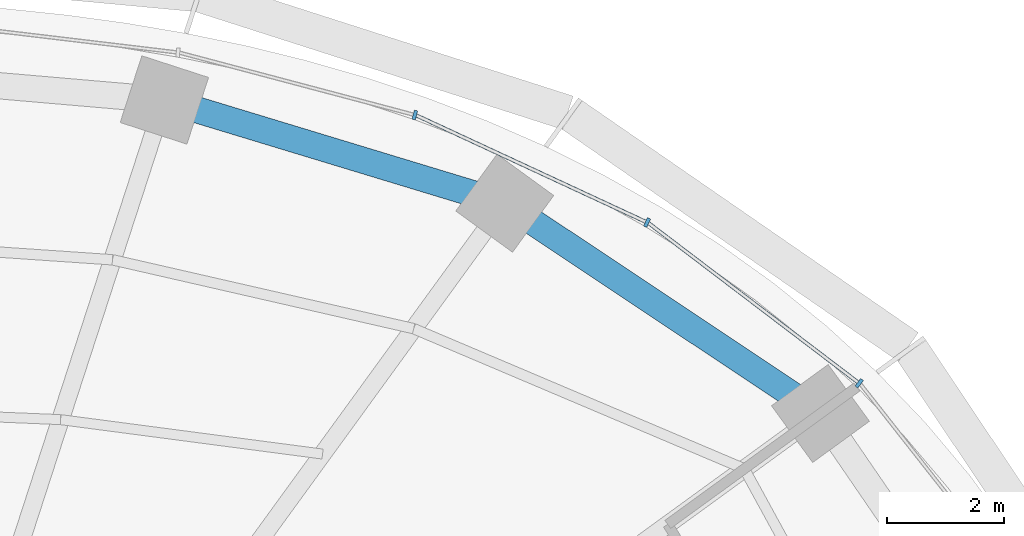
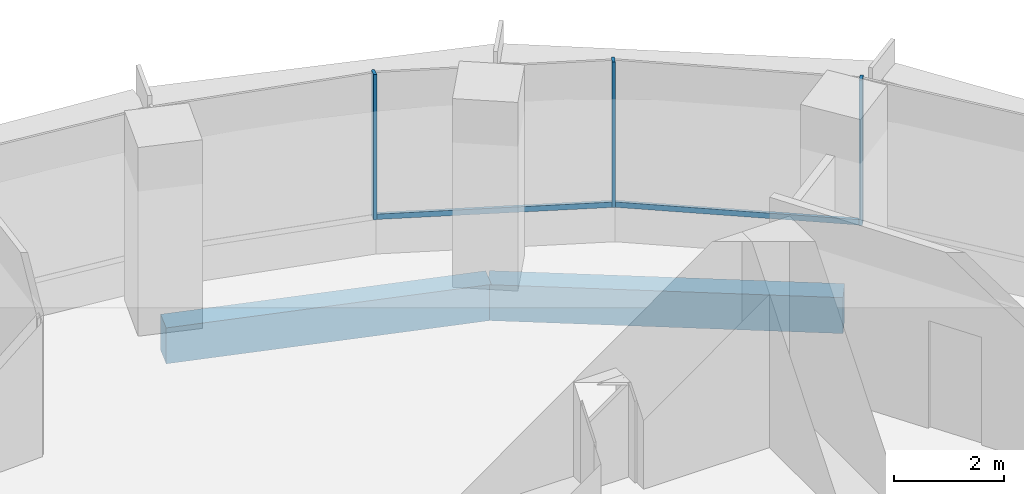
# One storey, part 7 of 13: 5 members, 2 beams, 2 elements without a shape of their own.
"""IFC4 building model written with IfcOpenShell, lengths in metres."""

from ifc_helpers import new_model, si_unit, direction, frame, origin, origin_2d, place, context, subcontext, project, spatial, rectangle, extrude, material, material_profile, profile_set, type_object, element, aggregate, save


model = new_model("IFC4")

# Units and contexts
model_context = context("Model", 3, precision=1e-05, world=origin(), true_north=direction((0.0, 1.0)))
body_context = subcontext(model_context, "Body", "Model", "MODEL_VIEW")
ifc_project = project(units=[si_unit("LENGTHUNIT", "METRE"), si_unit("AREAUNIT", "SQUARE_METRE"), si_unit("VOLUMEUNIT", "CUBIC_METRE"), si_unit("PLANEANGLEUNIT", "RADIAN"), si_unit("MASSUNIT", "GRAM", prefix="KILO")], contexts=[model_context])

# Site, building, storey
site_placement = place(None, origin())
site = spatial("IfcSite", under=ifc_project, at=site_placement, CompositionType="ELEMENT")
building_placement = place(site_placement, origin())
building = spatial("IfcBuilding", under=site, at=building_placement, Name="Marramba Exchange Tower", CompositionType="ELEMENT")
storey_placement = place(building_placement, frame((0.0, 0.0, 260.199951171875)))
storey = spatial("IfcBuildingStorey", under=building, at=storey_placement, Name="L63", CompositionType="ELEMENT", Elevation=260.199951171875)

# Curtain wall, members
ifc_material_1 = material(Name="Aluminium framing, bronze anodised", Category="aluminium")
curtain_wall_type = type_object("IfcCurtainWallType", Name="Executive floor ribbon curtain wall", PredefinedType="USERDEFINED", material=ifc_material_1)
curtain_wall_1_placement = place(storey_placement, origin())
curtain_wall_1 = element("IfcCurtainWall", 1, at=curtain_wall_1_placement, inside=storey, type_object=curtain_wall_type, Name="Curtain wall CW5 L63 F01-F05", ObjectType="RIBBON CURTAIN WALL", PredefinedType="USERDEFINED")
ifc_material_2 = material(Name="Aluminium mullion, bronze anodised", Category="aluminium")
ifc_material_profile_1 = material_profile(ifc_material_2, rectangle(XDim=0.159912109375, YDim=0.06005859375, at=origin_2d()), Name="CW5 mullion 60x160")
ifc_profile_set_1 = profile_set([ifc_material_profile_1], Name="Aluminium mullion, bronze anodised")
member_type_1 = type_object("IfcMemberType", Name="Executive floor ribbon curtain wall mullion", PredefinedType="MULLION", material=ifc_profile_set_1)
member_1_placement = place(storey_placement, frame((17.6494140625, 12.858642578125, 0.800048828125), z_axis=(0.0, 0.0, 1.0), x_axis=(-0.605219156516, -0.796058900199, 0.0)))
member_1 = element("IfcMember", 2, at=member_1_placement, type_object=member_type_1, Name="CW5 mullion 1", PredefinedType="MULLION", context=body_context, shape_type="SweptSolid", body=[
    extrude(rectangle(XDim=0.159912109375, YDim=0.06005859375, at=origin_2d()), origin(), (0.0, 0.0, 1.0), 3.239990234375),
])
member_2_placement = place(storey_placement, frame((14.01806640625, 15.611572265625, 0.800048828125), z_axis=(0.0, 0.0, 1.0), x_axis=(-0.420849274712, -0.90713057934, 0.0)))
member_2 = element("IfcMember", 3, at=member_2_placement, type_object=member_type_1, Name="CW5 mullion 1", PredefinedType="MULLION", context=body_context, shape_type="SweptSolid", body=[
    extrude(rectangle(XDim=0.159912109375, YDim=0.06005859375, at=origin_2d()), origin(), (0.0, 0.0, 1.0), 3.239990234375),
])

# Curtain wall, member
curtain_wall_2_placement = place(storey_placement, origin())
curtain_wall_2 = element("IfcCurtainWall", 4, at=curtain_wall_2_placement, inside=storey, type_object=curtain_wall_type, Name="Curtain wall CW5 L63 F06-F10", ObjectType="RIBBON CURTAIN WALL", PredefinedType="USERDEFINED")
member_3_placement = place(storey_placement, frame((10.04150390625, 17.450439453125, 0.800048828125), z_axis=(0.0, 0.0, 1.0), x_axis=(-0.256125574813, -0.966643517501, 0.0)))
member_3 = element("IfcMember", 5, at=member_3_placement, type_object=member_type_1, Name="CW5 mullion 1", PredefinedType="MULLION", context=body_context, shape_type="SweptSolid", body=[
    extrude(rectangle(XDim=0.159912109375, YDim=0.06005859375, at=origin_2d()), origin(), (0.0, 0.0, 1.0), 3.239990234375),
])
aggregate(curtain_wall_2, [member_3])

# Member
ifc_material_3 = material(Name="Aluminium transom, bronze anodised", Category="aluminium")
ifc_material_profile_2 = material_profile(ifc_material_3, rectangle(XDim=0.06005859375, YDim=0.1201171875, at=origin_2d()), Name="CW5 transom 60x120")
ifc_profile_set_2 = profile_set([ifc_material_profile_2], Name="Aluminium transom, bronze anodised")
member_type_2 = type_object("IfcMemberType", Name="Executive floor ribbon curtain wall transom", PredefinedType="USERDEFINED", material=ifc_profile_set_2)
member_4_placement = place(storey_placement, frame((17.625732421875, 12.876708984375, 0.830078125), z_axis=(-0.796061771764, 0.605215379461, 0.0), x_axis=(-0.605215379461, -0.796061771764, 0.0)))
member_4 = element("IfcMember", 6, at=member_4_placement, type_object=member_type_2, Name="CW5 sill transom", ObjectType="TRANSOM", PredefinedType="USERDEFINED", context=body_context, shape_type="SweptSolid", body=[
    extrude(rectangle(XDim=0.06005859375, YDim=0.1201171875, at=origin_2d()), origin(), (0.0, 0.0, 1.0), 4.497802734375),
])

member_5_placement = place(storey_placement, frame((13.99072265625, 15.6240234375, 0.830078125), z_axis=(-0.907117597316, 0.420877256026, 0.0), x_axis=(-0.420877256026, -0.907117597316, 0.0)))
member_5 = element("IfcMember", 7, at=member_5_placement, type_object=member_type_2, Name="CW5 sill transom", ObjectType="TRANSOM", PredefinedType="USERDEFINED", context=body_context, shape_type="SweptSolid", body=[
    extrude(rectangle(XDim=0.06005859375, YDim=0.1201171875, at=origin_2d()), origin(), (0.0, 0.0, 1.0), 4.321533203125),
])

aggregate(curtain_wall_1, [member_1, member_4, member_2, member_5])

# Beams
ifc_material_4 = material(Name="Concrete N50", Category="concrete")
ifc_material_profile_3 = material_profile(ifc_material_4, rectangle(XDim=0.449951171875, YDim=0.800048828125, at=origin_2d()), Name="RC 450x800")
ifc_profile_set_3 = profile_set([ifc_material_profile_3], Name="Concrete N50")
beam_type = type_object("IfcBeamType", Name="Ring beam RC 450x800 N50", PredefinedType="SPANDREL", material=ifc_profile_set_3)
beam_1_placement = place(storey_placement, frame((16.98583984375, 12.3408203125, -0.56005859375), z_axis=(-0.832293151443, 0.554335737673, 0.0), x_axis=(-0.554335737673, -0.832293151443, 0.0)))
element("IfcBeam", 8, at=beam_1_placement, inside=storey, type_object=beam_type, Name="Ring beam L63 TC03-TC04", PredefinedType="SPANDREL", context=body_context, shape_type="SweptSolid", body=[
    extrude(rectangle(XDim=0.449951171875, YDim=0.800048828125, at=origin_2d()), origin(), (0.0, 0.0, 1.0), 6.49365234375),
])
beam_2_placement = place(storey_placement, frame((11.581298828125, 15.9404296875, -0.56005859375), z_axis=(-0.956924542524, 0.290336735387, 0.0), x_axis=(-0.290336735387, -0.956924542524, 0.0)))
element("IfcBeam", 9, at=beam_2_placement, inside=storey, type_object=beam_type, Name="Ring beam L63 TC04-TC05", PredefinedType="SPANDREL", context=body_context, shape_type="SweptSolid", body=[
    extrude(rectangle(XDim=0.449951171875, YDim=0.800048828125, at=origin_2d()), origin(), (0.0, 0.0, 1.0), 6.089599609375),
])

save(model, "model.ifc")
